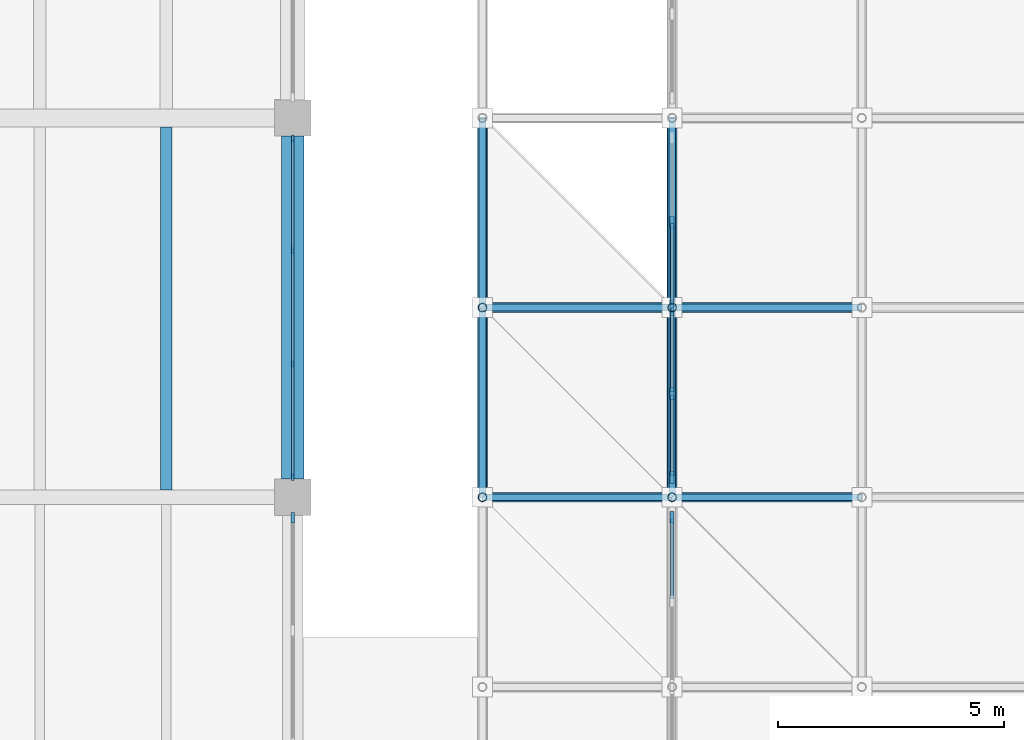
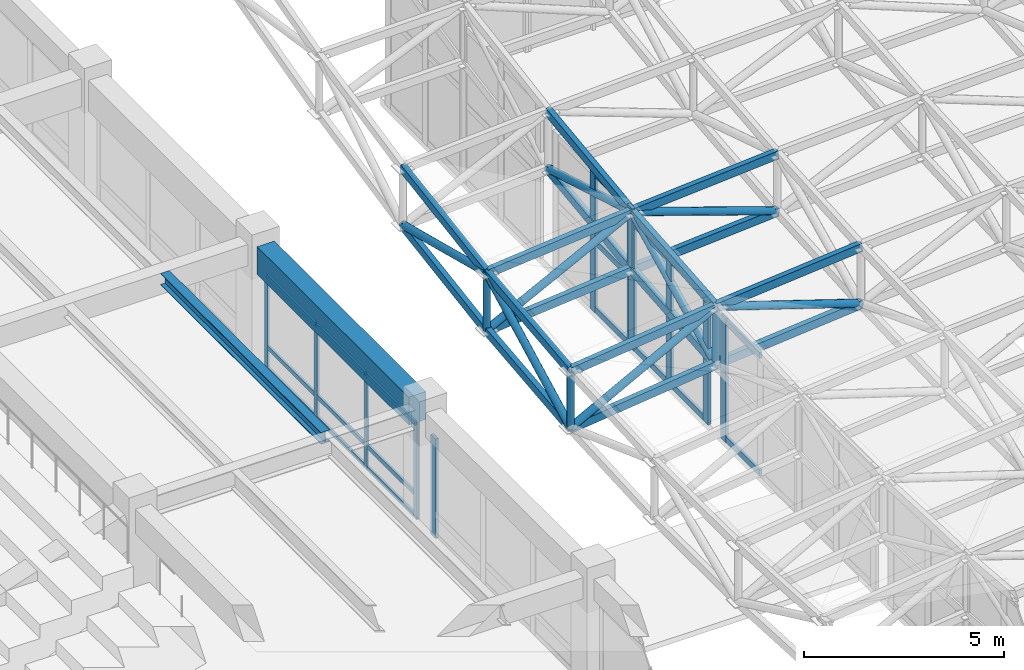
# One storey, part 26 of 132: 57 members, 2 beams, 5 elements without a shape of their own.
"""IFC4 building model written with IfcOpenShell, lengths in metres."""

from ifc_helpers import new_model, si_unit, direction, frame, origin, origin_2d, place, context, subcontext, project, spatial, rectangle, hollow_rectangle, hollow_circle, i_section, extrude, material, material_profile, profile_set, type_object, element, aggregate, save


model = new_model("IFC4")

# Units and contexts
model_context = context("Model", 3, precision=1e-05, world=origin(), true_north=direction((0.0, 1.0)))
body_context = subcontext(model_context, "Body", "Model", "MODEL_VIEW")
ifc_project = project(units=[si_unit("LENGTHUNIT", "METRE"), si_unit("AREAUNIT", "SQUARE_METRE"), si_unit("VOLUMEUNIT", "CUBIC_METRE"), si_unit("PLANEANGLEUNIT", "RADIAN"), si_unit("MASSUNIT", "GRAM", prefix="KILO")], contexts=[model_context])

# Site, building, storey
site_placement = place(None, origin())
site = spatial("IfcSite", under=ifc_project, at=site_placement, CompositionType="ELEMENT")
building_placement = place(site_placement, origin())
building = spatial("IfcBuilding", under=site, at=building_placement, Name="Cumbredor Promenade Congress Hotel", CompositionType="ELEMENT")
storey_placement = place(building_placement, frame((0.0, 0.0, 7.56005859375)))
storey = spatial("IfcBuildingStorey", under=building, at=storey_placement, Name="L02", CompositionType="ELEMENT", Elevation=7.56005859375)

# Beam
ifc_material_1 = material(Name="Concrete C40/50", Category="concrete")
ifc_material_profile_1 = material_profile(ifc_material_1, rectangle(XDim=0.5, YDim=0.85009765625, at=origin_2d()), Name="RC BEAM 500x850")
ifc_profile_set_1 = profile_set([ifc_material_profile_1], Name="Concrete C40/50")
beam_type_1 = type_object("IfcBeamType", Name="BM-RC-500x850", PredefinedType="BEAM", material=ifc_profile_set_1)
beam_1_placement = place(storey_placement, frame((67.199951171875, 34.0, 3.375), z_axis=(0.0, 1.0, 0.0), x_axis=(-1.0, 0.0, 0.0)))
element("IfcBeam", 1, at=beam_1_placement, inside=storey, type_object=beam_type_1, Name="L03 Y-Grid Beam 118", PredefinedType="BEAM", context=body_context, shape_type="SweptSolid", body=[
    extrude(rectangle(XDim=0.5, YDim=0.85009765625, at=origin_2d()), origin(), (0.0, 0.0, 1.0), 7.60009765625),
])

# Curtain wall, members
ifc_material_2 = material(Name="Thermally broken anodized aluminium and low-E glass", Category="aluminium")
curtain_wall_type_1 = type_object("IfcCurtainWallType", Name="Unitised Bronze Curtain Wall CW-01", PredefinedType="NOTDEFINED", material=ifc_material_2)
curtain_wall_1_placement = place(storey_placement, origin())
curtain_wall_1 = element("IfcCurtainWall", 2, at=curtain_wall_1_placement, inside=storey, type_object=curtain_wall_type_1, Name="L02 Plenary Congress Hall East Curtain Wall 4", PredefinedType="NOTDEFINED")
ifc_material_3 = material(Name="Thermally broken anodized aluminium", Category="aluminium")
ifc_material_profile_2 = material_profile(ifc_material_3, rectangle(XDim=0.06494140625, YDim=0.159912109375, at=origin_2d()), Name="ALU MULLION 65x160")
ifc_profile_set_2 = profile_set([ifc_material_profile_2], Name="Thermally broken anodized aluminium")
member_type_1 = type_object("IfcMemberType", Name="Curtain Wall Mullion ML-01", PredefinedType="MULLION", material=ifc_profile_set_2)
member_1_placement = place(storey_placement, frame((67.199951171875, 34.054931640625, -0.008056640625), z_axis=(0.0, 0.0, 1.0), x_axis=(1.0, 0.0, 0.0)))
member_1 = element("IfcMember", 3, at=member_1_placement, type_object=member_type_1, Name="L02 Plenary Congress Hall East Curtain Wall 4 Mullion 1", PredefinedType="MULLION", context=body_context, shape_type="SweptSolid", body=[
    extrude(rectangle(XDim=0.06494140625, YDim=0.159912109375, at=origin_2d()), origin(), (0.0, 0.0, 1.0), 2.950927734375),
])
member_2_placement = place(storey_placement, frame((67.199951171875, 36.5517578125, -0.008056640625), z_axis=(0.0, 0.0, 1.0), x_axis=(1.0, 0.0, 0.0)))
member_2 = element("IfcMember", 4, at=member_2_placement, type_object=member_type_1, Name="L02 Plenary Congress Hall East Curtain Wall 4 Mullion 2", PredefinedType="MULLION", context=body_context, shape_type="SweptSolid", body=[
    extrude(rectangle(XDim=0.06494140625, YDim=0.159912109375, at=origin_2d()), origin(), (0.0, 0.0, 1.0), 2.950927734375),
])
member_3_placement = place(storey_placement, frame((67.199951171875, 39.04833984375, -0.008056640625), z_axis=(0.0, 0.0, 1.0), x_axis=(1.0, 0.0, 0.0)))
member_3 = element("IfcMember", 5, at=member_3_placement, type_object=member_type_1, Name="L02 Plenary Congress Hall East Curtain Wall 4 Mullion 3", PredefinedType="MULLION", context=body_context, shape_type="SweptSolid", body=[
    extrude(rectangle(XDim=0.06494140625, YDim=0.159912109375, at=origin_2d()), origin(), (0.0, 0.0, 1.0), 2.950927734375),
])
member_4_placement = place(storey_placement, frame((67.199951171875, 41.544921875, -0.008056640625), z_axis=(0.0, 0.0, 1.0), x_axis=(1.0, 0.0, 0.0)))
member_4 = element("IfcMember", 6, at=member_4_placement, type_object=member_type_1, Name="L02 Plenary Congress Hall East Curtain Wall 4 Mullion 4", PredefinedType="MULLION", context=body_context, shape_type="SweptSolid", body=[
    extrude(rectangle(XDim=0.06494140625, YDim=0.159912109375, at=origin_2d()), origin(), (0.0, 0.0, 1.0), 2.950927734375),
])

# Curtain wall, member
curtain_wall_2_placement = place(storey_placement, origin())
curtain_wall_2 = element("IfcCurtainWall", 7, at=curtain_wall_2_placement, inside=storey, type_object=curtain_wall_type_1, Name="L02 Plenary Congress Hall East Curtain Wall 3", PredefinedType="NOTDEFINED")
ifc_material_profile_3 = material_profile(ifc_material_3, rectangle(XDim=0.080078125, YDim=0.239990234375, at=origin_2d()), Name="ALU MULLION 80x240")
ifc_profile_set_3 = profile_set([ifc_material_profile_3], Name="Thermally broken anodized aluminium")
member_type_2 = type_object("IfcMemberType", Name="Curtain Wall Mullion ML-03", PredefinedType="MULLION", material=ifc_profile_set_3)
member_5_placement = place(storey_placement, frame((67.199951171875, 33.14501953125, -0.008056640625), z_axis=(0.0, 0.0, 1.0), x_axis=(1.0, 0.0, 0.0)))
member_5 = element("IfcMember", 8, at=member_5_placement, type_object=member_type_2, Name="L02 Plenary Congress Hall East Curtain Wall 3 Mullion 4", PredefinedType="MULLION", context=body_context, shape_type="SweptSolid", body=[
    extrude(rectangle(XDim=0.080078125, YDim=0.239990234375, at=origin_2d()), origin(), (0.0, 0.0, 1.0), 3.051025390625),
])
aggregate(curtain_wall_2, [member_5])

curtain_wall_type_2 = type_object("IfcCurtainWallType", Name="Stepped Pavilion Clerestory Curtain Wall CW-06", PredefinedType="NOTDEFINED", material=ifc_material_2)
curtain_wall_3_placement = place(storey_placement, origin())
curtain_wall_3 = element("IfcCurtainWall", 9, at=curtain_wall_3_placement, inside=storey, type_object=curtain_wall_type_2, Name="Thermal Spa and Hydrotherapy Pavilion W Glazed Clerestory 6", PredefinedType="NOTDEFINED")
ifc_material_profile_4 = material_profile(ifc_material_3, rectangle(XDim=0.0849609375, YDim=0.260009765625, at=origin_2d()), Name="ALU MULLION CLERESTORY 85x260")
ifc_profile_set_4 = profile_set([ifc_material_profile_4], Name="Thermally broken anodized aluminium")
member_type_3 = type_object("IfcMemberType", Name="Curtain Wall Mullion ML-04", PredefinedType="MULLION", material=ifc_profile_set_4)
member_6_placement = place(storey_placement, frame((75.60009765625, 33.159912109375, -0.01806640625), z_axis=(0.0, 0.0, 1.0), x_axis=(1.0, 0.0, 0.0)))
member_6 = element("IfcMember", 10, at=member_6_placement, type_object=member_type_3, Name="Thermal Spa and Hydrotherapy Pavilion W Glazed Clerestory 6 Mullion 3", PredefinedType="MULLION", context=body_context, shape_type="SweptSolid", body=[
    extrude(rectangle(XDim=0.0849609375, YDim=0.260009765625, at=origin_2d()), origin(), (0.0, 0.0, 1.0), 3.790771484375),
])

# Curtain wall, members
curtain_wall_4_placement = place(storey_placement, origin())
curtain_wall_4 = element("IfcCurtainWall", 11, at=curtain_wall_4_placement, inside=storey, type_object=curtain_wall_type_2, Name="Thermal Spa and Hydrotherapy Pavilion W Glazed Clerestory 7", PredefinedType="NOTDEFINED")
member_7_placement = place(storey_placement, frame((75.60009765625, 34.0400390625, -0.01806640625), z_axis=(0.0, 0.0, 1.0), x_axis=(1.0, 0.0, 0.0)))
member_7 = element("IfcMember", 12, at=member_7_placement, type_object=member_type_3, Name="Thermal Spa and Hydrotherapy Pavilion W Glazed Clerestory 7 Mullion 1", PredefinedType="MULLION", context=body_context, shape_type="SweptSolid", body=[
    extrude(rectangle(XDim=0.0849609375, YDim=0.260009765625, at=origin_2d()), origin(), (0.0, 0.0, 1.0), 3.966552734375),
])
member_8_placement = place(storey_placement, frame((75.60009765625, 35.89990234375, -0.01806640625), z_axis=(0.0, 0.0, 1.0), x_axis=(1.0, 0.0, 0.0)))
member_8 = element("IfcMember", 13, at=member_8_placement, type_object=member_type_3, Name="Thermal Spa and Hydrotherapy Pavilion W Glazed Clerestory 7 Mullion 2", PredefinedType="MULLION", context=body_context, shape_type="SweptSolid", body=[
    extrude(rectangle(XDim=0.0849609375, YDim=0.260009765625, at=origin_2d()), origin(), (0.0, 0.0, 1.0), 3.966552734375),
])
member_9_placement = place(storey_placement, frame((75.60009765625, 37.760009765625, -0.01806640625), z_axis=(0.0, 0.0, 1.0), x_axis=(1.0, 0.0, 0.0)))
member_9 = element("IfcMember", 14, at=member_9_placement, type_object=member_type_3, Name="Thermal Spa and Hydrotherapy Pavilion W Glazed Clerestory 7 Mullion 3", PredefinedType="MULLION", context=body_context, shape_type="SweptSolid", body=[
    extrude(rectangle(XDim=0.0849609375, YDim=0.260009765625, at=origin_2d()), origin(), (0.0, 0.0, 1.0), 3.966552734375),
])

curtain_wall_5_placement = place(storey_placement, origin())
curtain_wall_5 = element("IfcCurtainWall", 15, at=curtain_wall_5_placement, inside=storey, type_object=curtain_wall_type_2, Name="Thermal Spa and Hydrotherapy Pavilion W Glazed Clerestory 8", PredefinedType="NOTDEFINED")
member_10_placement = place(storey_placement, frame((75.60009765625, 37.840087890625, -0.01806640625), z_axis=(0.0, 0.0, 1.0), x_axis=(1.0, 0.0, 0.0)))
member_10 = element("IfcMember", 16, at=member_10_placement, type_object=member_type_3, Name="Thermal Spa and Hydrotherapy Pavilion W Glazed Clerestory 8 Mullion 1", PredefinedType="MULLION", context=body_context, shape_type="SweptSolid", body=[
    extrude(rectangle(XDim=0.0849609375, YDim=0.260009765625, at=origin_2d()), origin(), (0.0, 0.0, 1.0), 4.318359375),
])
member_11_placement = place(storey_placement, frame((75.60009765625, 39.699951171875, -0.01806640625), z_axis=(0.0, 0.0, 1.0), x_axis=(1.0, 0.0, 0.0)))
member_11 = element("IfcMember", 17, at=member_11_placement, type_object=member_type_3, Name="Thermal Spa and Hydrotherapy Pavilion W Glazed Clerestory 8 Mullion 2", PredefinedType="MULLION", context=body_context, shape_type="SweptSolid", body=[
    extrude(rectangle(XDim=0.0849609375, YDim=0.260009765625, at=origin_2d()), origin(), (0.0, 0.0, 1.0), 4.318359375),
])

# Member
ifc_material_profile_5 = material_profile(ifc_material_3, rectangle(XDim=0.06494140625, YDim=0.1298828125, at=origin_2d()), Name="ALU TRANSOM 65x130")
ifc_profile_set_5 = profile_set([ifc_material_profile_5], Name="Thermally broken anodized aluminium")
member_type_4 = type_object("IfcMemberType", Name="Curtain Wall Transom TR-01", PredefinedType="USERDEFINED", material=ifc_profile_set_5)
member_12_placement = place(storey_placement, frame((67.199951171875, 34.08740234375, 0.06005859375), z_axis=(0.0, 1.0, 0.0), x_axis=(-1.0, 0.0, 0.0)))
member_12 = element("IfcMember", 18, at=member_12_placement, type_object=member_type_4, Name="L02 Plenary Congress Hall East Curtain Wall 4 Transom 1.1", ObjectType="TRANSOM", PredefinedType="USERDEFINED", context=body_context, shape_type="SweptSolid", body=[
    extrude(rectangle(XDim=0.06494140625, YDim=0.1298828125, at=origin_2d()), origin(), (0.0, 0.0, 1.0), 2.431884765625),
])

member_13_placement = place(storey_placement, frame((67.199951171875, 34.08740234375, 0.719970703125), z_axis=(0.0, 1.0, 0.0), x_axis=(-1.0, 0.0, 0.0)))
member_13 = element("IfcMember", 19, at=member_13_placement, type_object=member_type_4, Name="L02 Plenary Congress Hall East Curtain Wall 4 Transom 1.2", ObjectType="TRANSOM", PredefinedType="USERDEFINED", context=body_context, shape_type="SweptSolid", body=[
    extrude(rectangle(XDim=0.06494140625, YDim=0.1298828125, at=origin_2d()), origin(), (0.0, 0.0, 1.0), 2.431884765625),
])

member_14_placement = place(storey_placement, frame((67.199951171875, 34.08740234375, 2.869873046875), z_axis=(0.0, 1.0, 0.0), x_axis=(-1.0, 0.0, 0.0)))
member_14 = element("IfcMember", 20, at=member_14_placement, type_object=member_type_4, Name="L02 Plenary Congress Hall East Curtain Wall 4 Transom 1.3", ObjectType="TRANSOM", PredefinedType="USERDEFINED", context=body_context, shape_type="SweptSolid", body=[
    extrude(rectangle(XDim=0.06494140625, YDim=0.1298828125, at=origin_2d()), origin(), (0.0, 0.0, 1.0), 2.431884765625),
])

member_15_placement = place(storey_placement, frame((67.199951171875, 36.584228515625, 0.06005859375), z_axis=(0.0, 1.0, 0.0), x_axis=(-1.0, 0.0, 0.0)))
member_15 = element("IfcMember", 21, at=member_15_placement, type_object=member_type_4, Name="L02 Plenary Congress Hall East Curtain Wall 4 Transom 2.1", ObjectType="TRANSOM", PredefinedType="USERDEFINED", context=body_context, shape_type="SweptSolid", body=[
    extrude(rectangle(XDim=0.06494140625, YDim=0.1298828125, at=origin_2d()), origin(), (0.0, 0.0, 1.0), 2.431640625),
])

member_16_placement = place(storey_placement, frame((67.199951171875, 36.584228515625, 0.719970703125), z_axis=(0.0, 1.0, 0.0), x_axis=(-1.0, 0.0, 0.0)))
member_16 = element("IfcMember", 22, at=member_16_placement, type_object=member_type_4, Name="L02 Plenary Congress Hall East Curtain Wall 4 Transom 2.2", ObjectType="TRANSOM", PredefinedType="USERDEFINED", context=body_context, shape_type="SweptSolid", body=[
    extrude(rectangle(XDim=0.06494140625, YDim=0.1298828125, at=origin_2d()), origin(), (0.0, 0.0, 1.0), 2.431640625),
])

member_17_placement = place(storey_placement, frame((67.199951171875, 36.584228515625, 2.869873046875), z_axis=(0.0, 1.0, 0.0), x_axis=(-1.0, 0.0, 0.0)))
member_17 = element("IfcMember", 23, at=member_17_placement, type_object=member_type_4, Name="L02 Plenary Congress Hall East Curtain Wall 4 Transom 2.3", ObjectType="TRANSOM", PredefinedType="USERDEFINED", context=body_context, shape_type="SweptSolid", body=[
    extrude(rectangle(XDim=0.06494140625, YDim=0.1298828125, at=origin_2d()), origin(), (0.0, 0.0, 1.0), 2.431640625),
])

member_18_placement = place(storey_placement, frame((67.199951171875, 39.080810546875, 0.06005859375), z_axis=(0.0, 1.0, 0.0), x_axis=(-1.0, 0.0, 0.0)))
member_18 = element("IfcMember", 24, at=member_18_placement, type_object=member_type_4, Name="L02 Plenary Congress Hall East Curtain Wall 4 Transom 3.1", ObjectType="TRANSOM", PredefinedType="USERDEFINED", context=body_context, shape_type="SweptSolid", body=[
    extrude(rectangle(XDim=0.06494140625, YDim=0.1298828125, at=origin_2d()), origin(), (0.0, 0.0, 1.0), 2.431640625),
])

member_19_placement = place(storey_placement, frame((67.199951171875, 39.080810546875, 0.719970703125), z_axis=(0.0, 1.0, 0.0), x_axis=(-1.0, 0.0, 0.0)))
member_19 = element("IfcMember", 25, at=member_19_placement, type_object=member_type_4, Name="L02 Plenary Congress Hall East Curtain Wall 4 Transom 3.2", ObjectType="TRANSOM", PredefinedType="USERDEFINED", context=body_context, shape_type="SweptSolid", body=[
    extrude(rectangle(XDim=0.06494140625, YDim=0.1298828125, at=origin_2d()), origin(), (0.0, 0.0, 1.0), 2.431640625),
])

member_20_placement = place(storey_placement, frame((67.199951171875, 39.080810546875, 2.869873046875), z_axis=(0.0, 1.0, 0.0), x_axis=(-1.0, 0.0, 0.0)))
member_20 = element("IfcMember", 26, at=member_20_placement, type_object=member_type_4, Name="L02 Plenary Congress Hall East Curtain Wall 4 Transom 3.3", ObjectType="TRANSOM", PredefinedType="USERDEFINED", context=body_context, shape_type="SweptSolid", body=[
    extrude(rectangle(XDim=0.06494140625, YDim=0.1298828125, at=origin_2d()), origin(), (0.0, 0.0, 1.0), 2.431640625),
])

aggregate(curtain_wall_1, [member_1, member_2, member_3, member_4, member_12, member_13, member_14, member_15, member_16, member_17, member_18, member_19, member_20])

ifc_material_profile_6 = material_profile(ifc_material_3, rectangle(XDim=0.080078125, YDim=0.179931640625, at=origin_2d()), Name="ALU TRANSOM 80x180")
ifc_profile_set_6 = profile_set([ifc_material_profile_6], Name="Thermally broken anodized aluminium")
member_type_5 = type_object("IfcMemberType", Name="Curtain Wall Transom TR-03", PredefinedType="USERDEFINED", material=ifc_profile_set_6)
member_21_placement = place(storey_placement, frame((75.60009765625, 31.342529296875, 0.079833984375), z_axis=(0.0, 1.0, 0.0), x_axis=(-1.0, 0.0, 0.0)))
member_21 = element("IfcMember", 27, at=member_21_placement, type_object=member_type_5, Name="Thermal Spa and Hydrotherapy Pavilion W Glazed Clerestory 6 Transom 2.1", ObjectType="TRANSOM", PredefinedType="USERDEFINED", context=body_context, shape_type="SweptSolid", body=[
    extrude(rectangle(XDim=0.080078125, YDim=0.179931640625, at=origin_2d()), origin(), (0.0, 0.0, 1.0), 1.77490234375),
])

member_22_placement = place(storey_placement, frame((75.60009765625, 31.342529296875, 3.669921875), z_axis=(0.0, 1.0, 0.0), x_axis=(-1.0, 0.0, 0.0)))
member_22 = element("IfcMember", 28, at=member_22_placement, type_object=member_type_5, Name="Thermal Spa and Hydrotherapy Pavilion W Glazed Clerestory 6 Transom 2.2", ObjectType="TRANSOM", PredefinedType="USERDEFINED", context=body_context, shape_type="SweptSolid", body=[
    extrude(rectangle(XDim=0.080078125, YDim=0.179931640625, at=origin_2d()), origin(), (0.0, 0.0, 1.0), 1.77490234375),
])

aggregate(curtain_wall_3, [member_6, member_21, member_22])

member_23_placement = place(storey_placement, frame((75.60009765625, 34.08251953125, 0.079833984375), z_axis=(0.0, 1.0, 0.0), x_axis=(-1.0, 0.0, 0.0)))
member_23 = element("IfcMember", 29, at=member_23_placement, type_object=member_type_5, Name="Thermal Spa and Hydrotherapy Pavilion W Glazed Clerestory 7 Transom 1.1", ObjectType="TRANSOM", PredefinedType="USERDEFINED", context=body_context, shape_type="SweptSolid", body=[
    extrude(rectangle(XDim=0.080078125, YDim=0.179931640625, at=origin_2d()), origin(), (0.0, 0.0, 1.0), 1.77490234375),
])

member_24_placement = place(storey_placement, frame((75.60009765625, 34.08251953125, 3.849853515625), z_axis=(0.0, 1.0, 0.0), x_axis=(-1.0, 0.0, 0.0)))
member_24 = element("IfcMember", 30, at=member_24_placement, type_object=member_type_5, Name="Thermal Spa and Hydrotherapy Pavilion W Glazed Clerestory 7 Transom 1.2", ObjectType="TRANSOM", PredefinedType="USERDEFINED", context=body_context, shape_type="SweptSolid", body=[
    extrude(rectangle(XDim=0.080078125, YDim=0.179931640625, at=origin_2d()), origin(), (0.0, 0.0, 1.0), 1.77490234375),
])

member_25_placement = place(storey_placement, frame((75.60009765625, 35.9423828125, 0.079833984375), z_axis=(0.0, 1.0, 0.0), x_axis=(-1.0, 0.0, 0.0)))
member_25 = element("IfcMember", 31, at=member_25_placement, type_object=member_type_5, Name="Thermal Spa and Hydrotherapy Pavilion W Glazed Clerestory 7 Transom 2.1", ObjectType="TRANSOM", PredefinedType="USERDEFINED", context=body_context, shape_type="SweptSolid", body=[
    extrude(rectangle(XDim=0.080078125, YDim=0.179931640625, at=origin_2d()), origin(), (0.0, 0.0, 1.0), 1.775146484375),
])

member_26_placement = place(storey_placement, frame((75.60009765625, 35.9423828125, 3.849853515625), z_axis=(0.0, 1.0, 0.0), x_axis=(-1.0, 0.0, 0.0)))
member_26 = element("IfcMember", 32, at=member_26_placement, type_object=member_type_5, Name="Thermal Spa and Hydrotherapy Pavilion W Glazed Clerestory 7 Transom 2.2", ObjectType="TRANSOM", PredefinedType="USERDEFINED", context=body_context, shape_type="SweptSolid", body=[
    extrude(rectangle(XDim=0.080078125, YDim=0.179931640625, at=origin_2d()), origin(), (0.0, 0.0, 1.0), 1.775146484375),
])

aggregate(curtain_wall_4, [member_7, member_8, member_9, member_23, member_24, member_25, member_26])

member_27_placement = place(storey_placement, frame((75.60009765625, 37.882568359375, 0.079833984375), z_axis=(0.0, 1.0, 0.0), x_axis=(-1.0, 0.0, 0.0)))
member_27 = element("IfcMember", 33, at=member_27_placement, type_object=member_type_5, Name="Thermal Spa and Hydrotherapy Pavilion W Glazed Clerestory 8 Transom 1.1", ObjectType="TRANSOM", PredefinedType="USERDEFINED", context=body_context, shape_type="SweptSolid", body=[
    extrude(rectangle(XDim=0.080078125, YDim=0.179931640625, at=origin_2d()), origin(), (0.0, 0.0, 1.0), 1.77490234375),
])

member_28_placement = place(storey_placement, frame((75.60009765625, 37.882568359375, 2.139892578125), z_axis=(0.0, 1.0, 0.0), x_axis=(-1.0, 0.0, 0.0)))
member_28 = element("IfcMember", 34, at=member_28_placement, type_object=member_type_5, Name="Thermal Spa and Hydrotherapy Pavilion W Glazed Clerestory 8 Transom 1.2", ObjectType="TRANSOM", PredefinedType="USERDEFINED", context=body_context, shape_type="SweptSolid", body=[
    extrude(rectangle(XDim=0.080078125, YDim=0.179931640625, at=origin_2d()), origin(), (0.0, 0.0, 1.0), 1.77490234375),
])

member_29_placement = place(storey_placement, frame((75.60009765625, 37.882568359375, 4.199951171875), z_axis=(0.0, 1.0, 0.0), x_axis=(-1.0, 0.0, 0.0)))
member_29 = element("IfcMember", 35, at=member_29_placement, type_object=member_type_5, Name="Thermal Spa and Hydrotherapy Pavilion W Glazed Clerestory 8 Transom 1.3", ObjectType="TRANSOM", PredefinedType="USERDEFINED", context=body_context, shape_type="SweptSolid", body=[
    extrude(rectangle(XDim=0.080078125, YDim=0.179931640625, at=origin_2d()), origin(), (0.0, 0.0, 1.0), 1.77490234375),
])

aggregate(curtain_wall_5, [member_10, member_11, member_27, member_28, member_29])

# Beam
ifc_material_4 = material(Name="Steel ASTM A992 Grade 50", Category="steel")
ifc_material_profile_7 = material_profile(ifc_material_4, i_section(OverallWidth=0.2548828125, OverallDepth=0.35693359375, WebThickness=0.010498046875, FlangeThickness=0.018310546875, at=origin_2d()), Name="W14X68")
ifc_profile_set_7 = profile_set([ifc_material_profile_7], Name="Steel ASTM A992 Grade 50")
beam_type_2 = type_object("IfcBeamType", Name="JST-W14X68", PredefinedType="JOIST", material=ifc_profile_set_7)
beam_2_placement = place(storey_placement, frame((64.39990234375, 33.761962890625, 3.621337890625), z_axis=(0.0, 1.0, 0.0), x_axis=(-1.0, 0.0, 0.0)))
element("IfcBeam", 36, at=beam_2_placement, inside=storey, type_object=beam_type_2, Name="L03 Secondary Floor Joist 0053", PredefinedType="JOIST", context=body_context, shape_type="SweptSolid", body=[
    extrude(i_section(OverallWidth=0.2548828125, OverallDepth=0.35693359375, WebThickness=0.010498046875, FlangeThickness=0.018310546875, at=origin_2d()), origin(), (0.0, 0.0, 1.0), 8.0380859375),
])

# Members
ifc_material_5 = material(Name="Steel ASTM A500 Grade C", Category="steel")
ifc_material_profile_8 = material_profile(ifc_material_5, hollow_rectangle(XDim=0.14990234375, YDim=0.25, WallThickness=0.012451171875, at=origin_2d()), Name="HSS 250x150x12.5")
ifc_profile_set_8 = profile_set([ifc_material_profile_8], Name="Steel ASTM A500 Grade C")
member_type_6 = type_object("IfcMemberType", Name="Spa Roof Space Frame Chord", PredefinedType="CHORD", material=ifc_profile_set_8)
for number, where, z_axis, x_axis, name in (
    (37, (71.39990234375, 33.60009765625, 3.309326171875), (0.993317081882, 0.0, 0.115417394018), (0.0, 1.0, 0.0), "Thermal Spa and Hydrotherapy Pavilion X Top Chord 1.9"),
    (38, (71.39990234375, 33.60009765625, 1.559326171875), (0.993317081882, 0.0, 0.115417394018), (0.0, 1.0, 0.0), "Thermal Spa and Hydrotherapy Pavilion X Bottom Chord 1.9"),
):
    element("IfcMember", number, at=place(storey_placement, frame(where, z_axis=z_axis, x_axis=x_axis)), inside=storey, type_object=member_type_6, Name=name, PredefinedType="CHORD", context=body_context, shape_type="SweptSolid", body=[
        extrude(hollow_rectangle(XDim=0.14990234375, YDim=0.25, WallThickness=0.012451171875, at=origin_2d()), origin(), (0.0, 0.0, 1.0), 4.228515625),
    ])
for number, where, z_axis, x_axis, name in (
    (39, (75.60009765625, 33.60009765625, 3.79736328125), (0.995913585681, 0.0, 0.090311294173), (0.0, 1.0, 0.0), "Thermal Spa and Hydrotherapy Pavilion X Top Chord 2.9"),
    (40, (75.60009765625, 33.60009765625, 2.04736328125), (0.995913585681, 0.0, 0.090311294173), (0.0, 1.0, 0.0), "Thermal Spa and Hydrotherapy Pavilion X Bottom Chord 2.9"),
):
    element("IfcMember", number, at=place(storey_placement, frame(where, z_axis=z_axis, x_axis=x_axis)), inside=storey, type_object=member_type_6, Name=name, PredefinedType="CHORD", context=body_context, shape_type="SweptSolid", body=[
        extrude(hollow_rectangle(XDim=0.14990234375, YDim=0.25, WallThickness=0.012451171875, at=origin_2d()), origin(), (0.0, 0.0, 1.0), 4.21728515625),
    ])
for number, where, z_axis, x_axis, name in (
    (41, (71.39990234375, 37.800048828125, 3.753173828125), (0.995579604811, 0.0, 0.093921512358), (0.0, 1.0, 0.0), "Thermal Spa and Hydrotherapy Pavilion X Top Chord 1.10"),
    (42, (71.39990234375, 37.800048828125, 2.003173828125), (0.995579604811, 0.0, 0.093921512358), (0.0, 1.0, 0.0), "Thermal Spa and Hydrotherapy Pavilion X Bottom Chord 1.10"),
):
    element("IfcMember", number, at=place(storey_placement, frame(where, z_axis=z_axis, x_axis=x_axis)), inside=storey, type_object=member_type_6, Name=name, PredefinedType="CHORD", context=body_context, shape_type="SweptSolid", body=[
        extrude(hollow_rectangle(XDim=0.14990234375, YDim=0.25, WallThickness=0.012451171875, at=origin_2d()), origin(), (0.0, 0.0, 1.0), 4.21875),
    ])
for number, where, z_axis, x_axis, name in (
    (43, (75.60009765625, 37.800048828125, 4.1494140625), (0.997294578596, 0.0, 0.073508662772), (0.0, 1.0, 0.0), "Thermal Spa and Hydrotherapy Pavilion X Top Chord 2.10"),
    (44, (75.60009765625, 37.800048828125, 2.3994140625), (0.997294578596, 0.0, 0.073508662772), (0.0, 1.0, 0.0), "Thermal Spa and Hydrotherapy Pavilion X Bottom Chord 2.10"),
):
    element("IfcMember", number, at=place(storey_placement, frame(where, z_axis=z_axis, x_axis=x_axis)), inside=storey, type_object=member_type_6, Name=name, PredefinedType="CHORD", context=body_context, shape_type="SweptSolid", body=[
        extrude(hollow_rectangle(XDim=0.14990234375, YDim=0.25, WallThickness=0.012451171875, at=origin_2d()), origin(), (0.0, 0.0, 1.0), 4.21142578125),
    ])
for number, where, z_axis, x_axis, name in (
    (45, (71.39990234375, 33.60009765625, 3.309326171875), (0.0, 0.994462290258, 0.105094021025), (-1.0, 0.0, 0.0), "Thermal Spa and Hydrotherapy Pavilion Y Top Chord 1.9"),
    (46, (71.39990234375, 33.60009765625, 1.559326171875), (0.0, 0.994462290258, 0.105094021025), (-1.0, 0.0, 0.0), "Thermal Spa and Hydrotherapy Pavilion Y Bottom Chord 1.9"),
):
    element("IfcMember", number, at=place(storey_placement, frame(where, z_axis=z_axis, x_axis=x_axis)), inside=storey, type_object=member_type_6, Name=name, PredefinedType="CHORD", context=body_context, shape_type="SweptSolid", body=[
        extrude(hollow_rectangle(XDim=0.14990234375, YDim=0.25, WallThickness=0.012451171875, at=origin_2d()), origin(), (0.0, 0.0, 1.0), 4.223388671875),
    ])
for number, where, z_axis, x_axis, name in (
    (47, (71.39990234375, 37.800048828125, 3.753173828125), (0.0, 0.987676695168, 0.156507973669), (-1.0, 0.0, 0.0), "Thermal Spa and Hydrotherapy Pavilion Y Top Chord 1.10"),
    (48, (71.39990234375, 37.800048828125, 2.003173828125), (0.0, 0.987676695168, 0.156507973669), (-1.0, 0.0, 0.0), "Thermal Spa and Hydrotherapy Pavilion Y Bottom Chord 1.10"),
):
    element("IfcMember", number, at=place(storey_placement, frame(where, z_axis=z_axis, x_axis=x_axis)), inside=storey, type_object=member_type_6, Name=name, PredefinedType="CHORD", context=body_context, shape_type="SweptSolid", body=[
        extrude(hollow_rectangle(XDim=0.14990234375, YDim=0.25, WallThickness=0.012451171875, at=origin_2d()), origin(), (0.0, 0.0, 1.0), 4.25244140625),
    ])
for number, where, z_axis, x_axis, name in (
    (49, (75.60009765625, 33.60009765625, 3.79736328125), (0.0, 0.996505291992, 0.08352965361), (-1.0, 0.0, 0.0), "Thermal Spa and Hydrotherapy Pavilion Y Top Chord 2.9"),
    (50, (75.60009765625, 33.60009765625, 2.04736328125), (0.0, 0.996505291992, 0.08352965361), (-1.0, 0.0, 0.0), "Thermal Spa and Hydrotherapy Pavilion Y Bottom Chord 2.9"),
):
    element("IfcMember", number, at=place(storey_placement, frame(where, z_axis=z_axis, x_axis=x_axis)), inside=storey, type_object=member_type_6, Name=name, PredefinedType="CHORD", context=body_context, shape_type="SweptSolid", body=[
        extrude(hollow_rectangle(XDim=0.14990234375, YDim=0.25, WallThickness=0.012451171875, at=origin_2d()), origin(), (0.0, 0.0, 1.0), 4.214599609375),
    ])
for number, where, z_axis, x_axis, name in (
    (51, (75.60009765625, 37.800048828125, 4.1494140625), (0.0, 0.992202270646, 0.124638092592), (-1.0, 0.0, 0.0), "Thermal Spa and Hydrotherapy Pavilion Y Top Chord 2.10"),
    (52, (75.60009765625, 37.800048828125, 2.3994140625), (0.0, 0.992202270646, 0.124638092592), (-1.0, 0.0, 0.0), "Thermal Spa and Hydrotherapy Pavilion Y Bottom Chord 2.10"),
):
    element("IfcMember", number, at=place(storey_placement, frame(where, z_axis=z_axis, x_axis=x_axis)), inside=storey, type_object=member_type_6, Name=name, PredefinedType="CHORD", context=body_context, shape_type="SweptSolid", body=[
        extrude(hollow_rectangle(XDim=0.14990234375, YDim=0.25, WallThickness=0.012451171875, at=origin_2d()), origin(), (0.0, 0.0, 1.0), 4.23291015625),
    ])
ifc_material_profile_9 = material_profile(ifc_material_5, hollow_circle(Radius=0.109619140625, WallThickness=0.012451171875, at=origin_2d()), Name="CHS 219.1x12.5")
ifc_profile_set_9 = profile_set([ifc_material_profile_9], Name="Steel ASTM A500 Grade C")
member_type_7 = type_object("IfcMemberType", Name="Space Frame Web Diagonal D1", PredefinedType="BRACE", material=ifc_profile_set_9)
member_30_placement = place(storey_placement, frame((71.39990234375, 33.60009765625, 1.559326171875), z_axis=(0.882533218638, 0.0, 0.470250059012), x_axis=(0.0, 1.0, 0.0)))
element("IfcMember", 53, at=member_30_placement, inside=storey, type_object=member_type_7, Name="Thermal Spa and Hydrotherapy Pavilion X Web Diagonal 1.9", PredefinedType="BRACE", context=body_context, shape_type="SweptSolid", body=[
    extrude(hollow_circle(Radius=0.109619140625, WallThickness=0.012451171875, at=origin_2d()), origin(), (0.0, 0.0, 1.0), 4.75927734375),
])
member_31_placement = place(storey_placement, frame((75.60009765625, 33.60009765625, 3.79736328125), z_axis=(0.950757103344, 0.0, -0.309936978176), x_axis=(0.0, 1.0, 0.0)))
element("IfcMember", 54, at=member_31_placement, inside=storey, type_object=member_type_7, Name="Thermal Spa and Hydrotherapy Pavilion X Web Diagonal 2.9", PredefinedType="BRACE", context=body_context, shape_type="SweptSolid", body=[
    extrude(hollow_circle(Radius=0.109619140625, WallThickness=0.012451171875, at=origin_2d()), origin(), (0.0, 0.0, 1.0), 4.41748046875),
])
member_32_placement = place(storey_placement, frame((71.39990234375, 37.800048828125, 2.003173828125), z_axis=(0.890479891847, 0.0, 0.455022595282), x_axis=(0.0, 1.0, 0.0)))
element("IfcMember", 55, at=member_32_placement, inside=storey, type_object=member_type_7, Name="Thermal Spa and Hydrotherapy Pavilion X Web Diagonal 1.10", PredefinedType="BRACE", context=body_context, shape_type="SweptSolid", body=[
    extrude(hollow_circle(Radius=0.109619140625, WallThickness=0.012451171875, at=origin_2d()), origin(), (0.0, 0.0, 1.0), 4.716796875),
])
member_33_placement = place(storey_placement, frame((75.60009765625, 37.800048828125, 4.1494140625), z_axis=(0.945915095178, 0.0, -0.324414291784), x_axis=(0.0, 1.0, 0.0)))
element("IfcMember", 56, at=member_33_placement, inside=storey, type_object=member_type_7, Name="Thermal Spa and Hydrotherapy Pavilion X Web Diagonal 2.10", PredefinedType="BRACE", context=body_context, shape_type="SweptSolid", body=[
    extrude(hollow_circle(Radius=0.109619140625, WallThickness=0.012451171875, at=origin_2d()), origin(), (0.0, 0.0, 1.0), 4.440185546875),
])
member_34_placement = place(storey_placement, frame((71.39990234375, 33.60009765625, 1.559326171875), z_axis=(0.0, 0.88636241856, 0.462992076567), x_axis=(-1.0, 0.0, 0.0)))
element("IfcMember", 57, at=member_34_placement, inside=storey, type_object=member_type_7, Name="Thermal Spa and Hydrotherapy Pavilion Y Web Diagonal 1.9", PredefinedType="BRACE", context=body_context, shape_type="SweptSolid", body=[
    extrude(hollow_circle(Radius=0.109619140625, WallThickness=0.012451171875, at=origin_2d()), origin(), (0.0, 0.0, 1.0), 4.738525390625),
])
member_35_placement = place(storey_placement, frame((71.39990234375, 37.800048828125, 3.753173828125), z_axis=(0.0, 0.96824305038, -0.250010790548), x_axis=(-1.0, 0.0, 0.0)))
element("IfcMember", 58, at=member_35_placement, inside=storey, type_object=member_type_7, Name="Thermal Spa and Hydrotherapy Pavilion Y Web Diagonal 1.10", PredefinedType="BRACE", context=body_context, shape_type="SweptSolid", body=[
    extrude(hollow_circle(Radius=0.109619140625, WallThickness=0.012451171875, at=origin_2d()), origin(), (0.0, 0.0, 1.0), 4.337646484375),
])
member_36_placement = place(storey_placement, frame((75.60009765625, 33.60009765625, 2.04736328125), z_axis=(0.0, 0.894250381555, 0.447567039771), x_axis=(-1.0, 0.0, 0.0)))
element("IfcMember", 59, at=member_36_placement, inside=storey, type_object=member_type_7, Name="Thermal Spa and Hydrotherapy Pavilion Y Web Diagonal 2.9", PredefinedType="BRACE", context=body_context, shape_type="SweptSolid", body=[
    extrude(hollow_circle(Radius=0.109619140625, WallThickness=0.012451171875, at=origin_2d()), origin(), (0.0, 0.0, 1.0), 4.696533203125),
])
member_37_placement = place(storey_placement, frame((75.60009765625, 37.800048828125, 4.1494140625), z_axis=(0.0, 0.960157999727, -0.279457716947), x_axis=(-1.0, 0.0, 0.0)))
element("IfcMember", 60, at=member_37_placement, inside=storey, type_object=member_type_7, Name="Thermal Spa and Hydrotherapy Pavilion Y Web Diagonal 2.10", PredefinedType="BRACE", context=body_context, shape_type="SweptSolid", body=[
    extrude(hollow_circle(Radius=0.109619140625, WallThickness=0.012451171875, at=origin_2d()), origin(), (0.0, 0.0, 1.0), 4.374267578125),
])
ifc_material_profile_10 = material_profile(ifc_material_5, hollow_circle(Radius=0.096923828125, WallThickness=0.010009765625, at=origin_2d()), Name="CHS 193.7x10")
ifc_profile_set_10 = profile_set([ifc_material_profile_10], Name="Steel ASTM A500 Grade C")
member_type_8 = type_object("IfcMemberType", Name="Space Frame Web Post P1", PredefinedType="BRACE", material=ifc_profile_set_10)
for number, where, z_axis, x_axis, name in (
    (61, (71.39990234375, 33.60009765625, 1.559326171875), (0.0, 0.0, 1.0), (1.0, 0.0, 0.0), "Thermal Spa and Hydrotherapy Pavilion Space Frame Web Post 1.9"),
    (62, (71.39990234375, 37.800048828125, 2.003173828125), (0.0, 0.0, 1.0), (1.0, 0.0, 0.0), "Thermal Spa and Hydrotherapy Pavilion Space Frame Web Post 1.10"),
    (63, (75.60009765625, 33.60009765625, 2.04736328125), (0.0, 0.0, 1.0), (1.0, 0.0, 0.0), "Thermal Spa and Hydrotherapy Pavilion Space Frame Web Post 2.9"),
    (64, (75.60009765625, 37.800048828125, 2.3994140625), (0.0, 0.0, 1.0), (1.0, 0.0, 0.0), "Thermal Spa and Hydrotherapy Pavilion Space Frame Web Post 2.10"),
):
    element("IfcMember", number, at=place(storey_placement, frame(where, z_axis=z_axis, x_axis=x_axis)), inside=storey, type_object=member_type_8, Name=name, PredefinedType="BRACE", context=body_context, shape_type="SweptSolid", body=[
        extrude(hollow_circle(Radius=0.096923828125, WallThickness=0.010009765625, at=origin_2d()), origin(), (0.0, 0.0, 1.0), 1.75),
    ])

save(model, "model.ifc")
